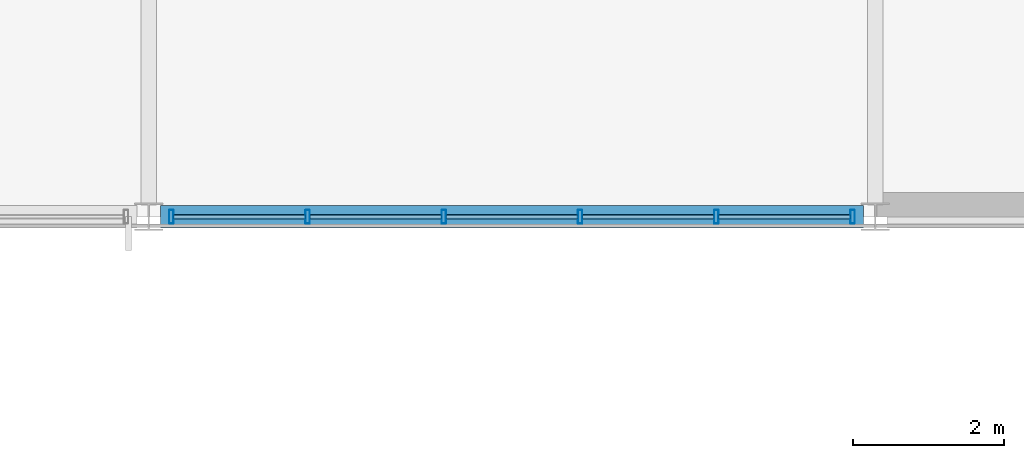
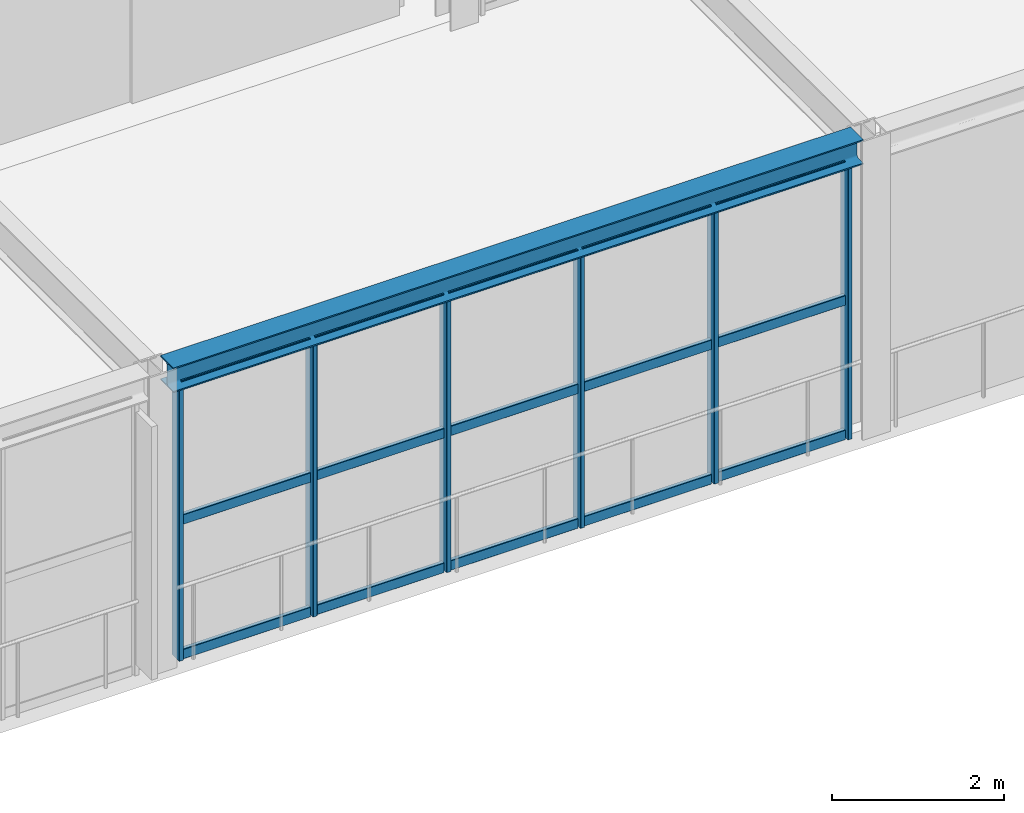
# One storey, part 98 of 170: 21 members, 1 beam, 1 element without a shape of its own.
"""IFC4 building model written with IfcOpenShell, lengths in metres."""

from ifc_helpers import new_model, si_unit, direction, frame, origin, origin_2d, place, context, subcontext, project, spatial, hollow_rectangle, i_section, extrude, material, material_profile, profile_set, type_object, element, aggregate, save


model = new_model("IFC4")

# Units and contexts
model_context = context("Model", 3, precision=1e-05, world=origin(), true_north=direction((0.0, 1.0)))
body_context = subcontext(model_context, "Body", "Model", "MODEL_VIEW")
ifc_project = project(units=[si_unit("LENGTHUNIT", "METRE"), si_unit("AREAUNIT", "SQUARE_METRE"), si_unit("VOLUMEUNIT", "CUBIC_METRE"), si_unit("PLANEANGLEUNIT", "RADIAN"), si_unit("MASSUNIT", "GRAM", prefix="KILO")], contexts=[model_context])

# Site, building, storey
site_placement = place(None, origin())
site = spatial("IfcSite", under=ifc_project, at=site_placement, CompositionType="ELEMENT")
building_placement = place(site_placement, origin())
building = spatial("IfcBuilding", under=site, at=building_placement, Name="Coralgate Yard Interchange", CompositionType="ELEMENT")
storey_placement = place(building_placement, frame((0.0, 0.0, 6.0)))
storey = spatial("IfcBuildingStorey", under=building, at=storey_placement, Name="L01", CompositionType="ELEMENT", Elevation=6.0)

# Beam
ifc_material_1 = material(Name="Structural steel S355J2", Category="steel")
ifc_material_profile_1 = material_profile(ifc_material_1, i_section(OverallWidth=0.300048828125, OverallDepth=0.35009765625, WebThickness=0.010009765625, FlangeThickness=0.017578125, FilletRadius=0.027099609375, at=origin_2d()), Name="HEA 360")
ifc_profile_set_1 = profile_set([ifc_material_profile_1], Name="Structural steel S355J2")
beam_type = type_object("IfcBeamType", Name="BM-SP-1", PredefinedType="SPANDREL", material=ifc_profile_set_1)
beam_placement = place(storey_placement, frame((96.15625, 67.199951171875, 4.074951171875), z_axis=(1.0, 0.0, 0.0), x_axis=(0.0, 1.0, 0.0)))
element("IfcBeam", 1, at=beam_placement, inside=storey, type_object=beam_type, Name="L01 primary grid beam Y7 X10-11", PredefinedType="SPANDREL", context=body_context, shape_type="SweptSolid", body=[
    extrude(i_section(OverallWidth=0.300048828125, OverallDepth=0.35009765625, WebThickness=0.010009765625, FlangeThickness=0.017578125, FilletRadius=0.027099609375, at=origin_2d()), origin(), (0.0, 0.0, 1.0), 9.287353515625),
])

# Curtain wall, members
ifc_material_2 = material(Name="Anodised coastal aluminium and solar-control low-E glass", Category="aluminium")
curtain_wall_type = type_object("IfcCurtainWallType", Name="CW-CW-L01-A", PredefinedType="NOTDEFINED", material=ifc_material_2)
curtain_wall_placement = place(storey_placement, origin())
curtain_wall = element("IfcCurtainWall", 2, at=curtain_wall_placement, inside=storey, type_object=curtain_wall_type, Name="L01 unitised curtain wall CW-L01-S-10-07", PredefinedType="NOTDEFINED")
ifc_material_3 = material(Name="Anodised coastal aluminium 6063-T6", Category="aluminium")
ifc_material_profile_2 = material_profile(ifc_material_3, hollow_rectangle(XDim=0.06005859375, YDim=0.179931640625, WallThickness=0.00390625, InnerFilletRadius=0.00390625, OuterFilletRadius=0.008056640625, at=origin_2d()), Name="ALU 60x180x4")
ifc_profile_set_2 = profile_set([ifc_material_profile_2], Name="Anodised coastal aluminium 6063-T6")
member_type_1 = type_object("IfcMemberType", Name="MB-MUL-180", PredefinedType="MULLION", material=ifc_profile_set_2)
member_1_placement = place(storey_placement, frame((105.300048828125, 67.199951171875, 0.0), z_axis=(0.0, 0.0, 1.0), x_axis=(1.0, 0.0, 0.0)))
member_1 = element("IfcMember", 3, at=member_1_placement, type_object=member_type_1, Name="CW-L01-S-10-07 vertical mullion 1", PredefinedType="MULLION", context=body_context, shape_type="SweptSolid", body=[
    extrude(hollow_rectangle(XDim=0.06005859375, YDim=0.179931640625, WallThickness=0.00390625, InnerFilletRadius=0.00390625, OuterFilletRadius=0.008056640625, at=origin_2d()), origin(), (0.0, 0.0, 1.0), 3.89990234375),
])
member_2_placement = place(storey_placement, frame((103.5, 67.199951171875, 0.0), z_axis=(0.0, 0.0, 1.0), x_axis=(1.0, 0.0, 0.0)))
member_2 = element("IfcMember", 4, at=member_2_placement, type_object=member_type_1, Name="CW-L01-S-10-07 vertical mullion 2", PredefinedType="MULLION", context=body_context, shape_type="SweptSolid", body=[
    extrude(hollow_rectangle(XDim=0.06005859375, YDim=0.179931640625, WallThickness=0.00390625, InnerFilletRadius=0.00390625, OuterFilletRadius=0.008056640625, at=origin_2d()), origin(), (0.0, 0.0, 1.0), 3.89990234375),
])
member_3_placement = place(storey_placement, frame((101.699951171875, 67.199951171875, 0.0), z_axis=(0.0, 0.0, 1.0), x_axis=(1.0, 0.0, 0.0)))
member_3 = element("IfcMember", 5, at=member_3_placement, type_object=member_type_1, Name="CW-L01-S-10-07 vertical mullion 3", PredefinedType="MULLION", context=body_context, shape_type="SweptSolid", body=[
    extrude(hollow_rectangle(XDim=0.06005859375, YDim=0.179931640625, WallThickness=0.00390625, InnerFilletRadius=0.00390625, OuterFilletRadius=0.008056640625, at=origin_2d()), origin(), (0.0, 0.0, 1.0), 3.89990234375),
])
member_4_placement = place(storey_placement, frame((99.89990234375, 67.199951171875, 0.0), z_axis=(0.0, 0.0, 1.0), x_axis=(1.0, 0.0, 0.0)))
member_4 = element("IfcMember", 6, at=member_4_placement, type_object=member_type_1, Name="CW-L01-S-10-07 vertical mullion 4", PredefinedType="MULLION", context=body_context, shape_type="SweptSolid", body=[
    extrude(hollow_rectangle(XDim=0.06005859375, YDim=0.179931640625, WallThickness=0.00390625, InnerFilletRadius=0.00390625, OuterFilletRadius=0.008056640625, at=origin_2d()), origin(), (0.0, 0.0, 1.0), 3.89990234375),
])
member_5_placement = place(storey_placement, frame((98.10009765625, 67.199951171875, 0.0), z_axis=(0.0, 0.0, 1.0), x_axis=(1.0, 0.0, 0.0)))
member_5 = element("IfcMember", 7, at=member_5_placement, type_object=member_type_1, Name="CW-L01-S-10-07 vertical mullion 5", PredefinedType="MULLION", context=body_context, shape_type="SweptSolid", body=[
    extrude(hollow_rectangle(XDim=0.06005859375, YDim=0.179931640625, WallThickness=0.00390625, InnerFilletRadius=0.00390625, OuterFilletRadius=0.008056640625, at=origin_2d()), origin(), (0.0, 0.0, 1.0), 3.89990234375),
])
member_6_placement = place(storey_placement, frame((96.300048828125, 67.199951171875, 0.0), z_axis=(0.0, 0.0, 1.0), x_axis=(1.0, 0.0, 0.0)))
member_6 = element("IfcMember", 8, at=member_6_placement, type_object=member_type_1, Name="CW-L01-S-10-07 vertical mullion 6", PredefinedType="MULLION", context=body_context, shape_type="SweptSolid", body=[
    extrude(hollow_rectangle(XDim=0.06005859375, YDim=0.179931640625, WallThickness=0.00390625, InnerFilletRadius=0.00390625, OuterFilletRadius=0.008056640625, at=origin_2d()), origin(), (0.0, 0.0, 1.0), 3.89990234375),
])
ifc_material_profile_3 = material_profile(ifc_material_3, hollow_rectangle(XDim=0.06005859375, YDim=0.139892578125, WallThickness=0.00341796875, InnerFilletRadius=0.00341796875, OuterFilletRadius=0.007080078125, at=origin_2d()), Name="ALU 60x140x3.5")
ifc_profile_set_3 = profile_set([ifc_material_profile_3], Name="Anodised coastal aluminium 6063-T6")
member_type_2 = type_object("IfcMemberType", Name="MB-TRN-140", PredefinedType="USERDEFINED", material=ifc_profile_set_3)
member_7_placement = place(storey_placement, frame((105.27001953125, 67.199951171875, 0.034912109375), z_axis=(-1.0, 0.0, 0.0), x_axis=(0.0, -1.0, 0.0)))
member_7 = element("IfcMember", 9, at=member_7_placement, type_object=member_type_2, Name="CW-L01-S-10-07 horizontal transom 1-1", ObjectType="TRANSOM", PredefinedType="USERDEFINED", context=body_context, shape_type="SweptSolid", body=[
    extrude(hollow_rectangle(XDim=0.06005859375, YDim=0.139892578125, WallThickness=0.00341796875, InnerFilletRadius=0.00341796875, OuterFilletRadius=0.007080078125, at=origin_2d()), origin(), (0.0, 0.0, 1.0), 1.739990234375),
])
member_8_placement = place(storey_placement, frame((105.27001953125, 67.199951171875, 1.949951171875), z_axis=(-1.0, 0.0, 0.0), x_axis=(0.0, -1.0, 0.0)))
member_8 = element("IfcMember", 10, at=member_8_placement, type_object=member_type_2, Name="CW-L01-S-10-07 horizontal transom 1-2", ObjectType="TRANSOM", PredefinedType="USERDEFINED", context=body_context, shape_type="SweptSolid", body=[
    extrude(hollow_rectangle(XDim=0.06005859375, YDim=0.139892578125, WallThickness=0.00341796875, InnerFilletRadius=0.00341796875, OuterFilletRadius=0.007080078125, at=origin_2d()), origin(), (0.0, 0.0, 1.0), 1.739990234375),
])
member_9_placement = place(storey_placement, frame((105.27001953125, 67.199951171875, 3.864990234375), z_axis=(-1.0, 0.0, 0.0), x_axis=(0.0, -1.0, 0.0)))
member_9 = element("IfcMember", 11, at=member_9_placement, type_object=member_type_2, Name="CW-L01-S-10-07 horizontal transom 1-3", ObjectType="TRANSOM", PredefinedType="USERDEFINED", context=body_context, shape_type="SweptSolid", body=[
    extrude(hollow_rectangle(XDim=0.06005859375, YDim=0.139892578125, WallThickness=0.00341796875, InnerFilletRadius=0.00341796875, OuterFilletRadius=0.007080078125, at=origin_2d()), origin(), (0.0, 0.0, 1.0), 1.739990234375),
])
member_10_placement = place(storey_placement, frame((103.469970703125, 67.199951171875, 0.034912109375), z_axis=(-1.0, 0.0, 0.0), x_axis=(0.0, -1.0, 0.0)))
member_10 = element("IfcMember", 12, at=member_10_placement, type_object=member_type_2, Name="CW-L01-S-10-07 horizontal transom 2-1", ObjectType="TRANSOM", PredefinedType="USERDEFINED", context=body_context, shape_type="SweptSolid", body=[
    extrude(hollow_rectangle(XDim=0.06005859375, YDim=0.139892578125, WallThickness=0.00341796875, InnerFilletRadius=0.00341796875, OuterFilletRadius=0.007080078125, at=origin_2d()), origin(), (0.0, 0.0, 1.0), 1.739990234375),
])
member_11_placement = place(storey_placement, frame((103.469970703125, 67.199951171875, 1.949951171875), z_axis=(-1.0, 0.0, 0.0), x_axis=(0.0, -1.0, 0.0)))
member_11 = element("IfcMember", 13, at=member_11_placement, type_object=member_type_2, Name="CW-L01-S-10-07 horizontal transom 2-2", ObjectType="TRANSOM", PredefinedType="USERDEFINED", context=body_context, shape_type="SweptSolid", body=[
    extrude(hollow_rectangle(XDim=0.06005859375, YDim=0.139892578125, WallThickness=0.00341796875, InnerFilletRadius=0.00341796875, OuterFilletRadius=0.007080078125, at=origin_2d()), origin(), (0.0, 0.0, 1.0), 1.739990234375),
])
member_12_placement = place(storey_placement, frame((103.469970703125, 67.199951171875, 3.864990234375), z_axis=(-1.0, 0.0, 0.0), x_axis=(0.0, -1.0, 0.0)))
member_12 = element("IfcMember", 14, at=member_12_placement, type_object=member_type_2, Name="CW-L01-S-10-07 horizontal transom 2-3", ObjectType="TRANSOM", PredefinedType="USERDEFINED", context=body_context, shape_type="SweptSolid", body=[
    extrude(hollow_rectangle(XDim=0.06005859375, YDim=0.139892578125, WallThickness=0.00341796875, InnerFilletRadius=0.00341796875, OuterFilletRadius=0.007080078125, at=origin_2d()), origin(), (0.0, 0.0, 1.0), 1.739990234375),
])
member_13_placement = place(storey_placement, frame((101.669921875, 67.199951171875, 0.034912109375), z_axis=(-1.0, 0.0, 0.0), x_axis=(0.0, -1.0, 0.0)))
member_13 = element("IfcMember", 15, at=member_13_placement, type_object=member_type_2, Name="CW-L01-S-10-07 horizontal transom 3-1", ObjectType="TRANSOM", PredefinedType="USERDEFINED", context=body_context, shape_type="SweptSolid", body=[
    extrude(hollow_rectangle(XDim=0.06005859375, YDim=0.139892578125, WallThickness=0.00341796875, InnerFilletRadius=0.00341796875, OuterFilletRadius=0.007080078125, at=origin_2d()), origin(), (0.0, 0.0, 1.0), 1.739990234375),
])
member_14_placement = place(storey_placement, frame((101.669921875, 67.199951171875, 1.949951171875), z_axis=(-1.0, 0.0, 0.0), x_axis=(0.0, -1.0, 0.0)))
member_14 = element("IfcMember", 16, at=member_14_placement, type_object=member_type_2, Name="CW-L01-S-10-07 horizontal transom 3-2", ObjectType="TRANSOM", PredefinedType="USERDEFINED", context=body_context, shape_type="SweptSolid", body=[
    extrude(hollow_rectangle(XDim=0.06005859375, YDim=0.139892578125, WallThickness=0.00341796875, InnerFilletRadius=0.00341796875, OuterFilletRadius=0.007080078125, at=origin_2d()), origin(), (0.0, 0.0, 1.0), 1.739990234375),
])
member_15_placement = place(storey_placement, frame((101.669921875, 67.199951171875, 3.864990234375), z_axis=(-1.0, 0.0, 0.0), x_axis=(0.0, -1.0, 0.0)))
member_15 = element("IfcMember", 17, at=member_15_placement, type_object=member_type_2, Name="CW-L01-S-10-07 horizontal transom 3-3", ObjectType="TRANSOM", PredefinedType="USERDEFINED", context=body_context, shape_type="SweptSolid", body=[
    extrude(hollow_rectangle(XDim=0.06005859375, YDim=0.139892578125, WallThickness=0.00341796875, InnerFilletRadius=0.00341796875, OuterFilletRadius=0.007080078125, at=origin_2d()), origin(), (0.0, 0.0, 1.0), 1.739990234375),
])
member_16_placement = place(storey_placement, frame((99.8701171875, 67.199951171875, 0.034912109375), z_axis=(-1.0, 0.0, 0.0), x_axis=(0.0, -1.0, 0.0)))
member_16 = element("IfcMember", 18, at=member_16_placement, type_object=member_type_2, Name="CW-L01-S-10-07 horizontal transom 4-1", ObjectType="TRANSOM", PredefinedType="USERDEFINED", context=body_context, shape_type="SweptSolid", body=[
    extrude(hollow_rectangle(XDim=0.06005859375, YDim=0.139892578125, WallThickness=0.00341796875, InnerFilletRadius=0.00341796875, OuterFilletRadius=0.007080078125, at=origin_2d()), origin(), (0.0, 0.0, 1.0), 1.740234375),
])
member_17_placement = place(storey_placement, frame((99.8701171875, 67.199951171875, 1.949951171875), z_axis=(-1.0, 0.0, 0.0), x_axis=(0.0, -1.0, 0.0)))
member_17 = element("IfcMember", 19, at=member_17_placement, type_object=member_type_2, Name="CW-L01-S-10-07 horizontal transom 4-2", ObjectType="TRANSOM", PredefinedType="USERDEFINED", context=body_context, shape_type="SweptSolid", body=[
    extrude(hollow_rectangle(XDim=0.06005859375, YDim=0.139892578125, WallThickness=0.00341796875, InnerFilletRadius=0.00341796875, OuterFilletRadius=0.007080078125, at=origin_2d()), origin(), (0.0, 0.0, 1.0), 1.740234375),
])
member_18_placement = place(storey_placement, frame((99.8701171875, 67.199951171875, 3.864990234375), z_axis=(-1.0, 0.0, 0.0), x_axis=(0.0, -1.0, 0.0)))
member_18 = element("IfcMember", 20, at=member_18_placement, type_object=member_type_2, Name="CW-L01-S-10-07 horizontal transom 4-3", ObjectType="TRANSOM", PredefinedType="USERDEFINED", context=body_context, shape_type="SweptSolid", body=[
    extrude(hollow_rectangle(XDim=0.06005859375, YDim=0.139892578125, WallThickness=0.00341796875, InnerFilletRadius=0.00341796875, OuterFilletRadius=0.007080078125, at=origin_2d()), origin(), (0.0, 0.0, 1.0), 1.740234375),
])
member_19_placement = place(storey_placement, frame((98.070068359375, 67.199951171875, 0.034912109375), z_axis=(-1.0, 0.0, 0.0), x_axis=(0.0, -1.0, 0.0)))
member_19 = element("IfcMember", 21, at=member_19_placement, type_object=member_type_2, Name="CW-L01-S-10-07 horizontal transom 5-1", ObjectType="TRANSOM", PredefinedType="USERDEFINED", context=body_context, shape_type="SweptSolid", body=[
    extrude(hollow_rectangle(XDim=0.06005859375, YDim=0.139892578125, WallThickness=0.00341796875, InnerFilletRadius=0.00341796875, OuterFilletRadius=0.007080078125, at=origin_2d()), origin(), (0.0, 0.0, 1.0), 1.739990234375),
])
member_20_placement = place(storey_placement, frame((98.070068359375, 67.199951171875, 1.949951171875), z_axis=(-1.0, 0.0, 0.0), x_axis=(0.0, -1.0, 0.0)))
member_20 = element("IfcMember", 22, at=member_20_placement, type_object=member_type_2, Name="CW-L01-S-10-07 horizontal transom 5-2", ObjectType="TRANSOM", PredefinedType="USERDEFINED", context=body_context, shape_type="SweptSolid", body=[
    extrude(hollow_rectangle(XDim=0.06005859375, YDim=0.139892578125, WallThickness=0.00341796875, InnerFilletRadius=0.00341796875, OuterFilletRadius=0.007080078125, at=origin_2d()), origin(), (0.0, 0.0, 1.0), 1.739990234375),
])
member_21_placement = place(storey_placement, frame((98.070068359375, 67.199951171875, 3.864990234375), z_axis=(-1.0, 0.0, 0.0), x_axis=(0.0, -1.0, 0.0)))
member_21 = element("IfcMember", 23, at=member_21_placement, type_object=member_type_2, Name="CW-L01-S-10-07 horizontal transom 5-3", ObjectType="TRANSOM", PredefinedType="USERDEFINED", context=body_context, shape_type="SweptSolid", body=[
    extrude(hollow_rectangle(XDim=0.06005859375, YDim=0.139892578125, WallThickness=0.00341796875, InnerFilletRadius=0.00341796875, OuterFilletRadius=0.007080078125, at=origin_2d()), origin(), (0.0, 0.0, 1.0), 1.739990234375),
])
aggregate(curtain_wall, [member_1, member_2, member_3, member_4, member_5, member_6, member_7, member_8, member_9, member_10, member_11, member_12, member_13, member_14, member_15, member_16, member_17, member_18, member_19, member_20, member_21])

save(model, "model.ifc")
